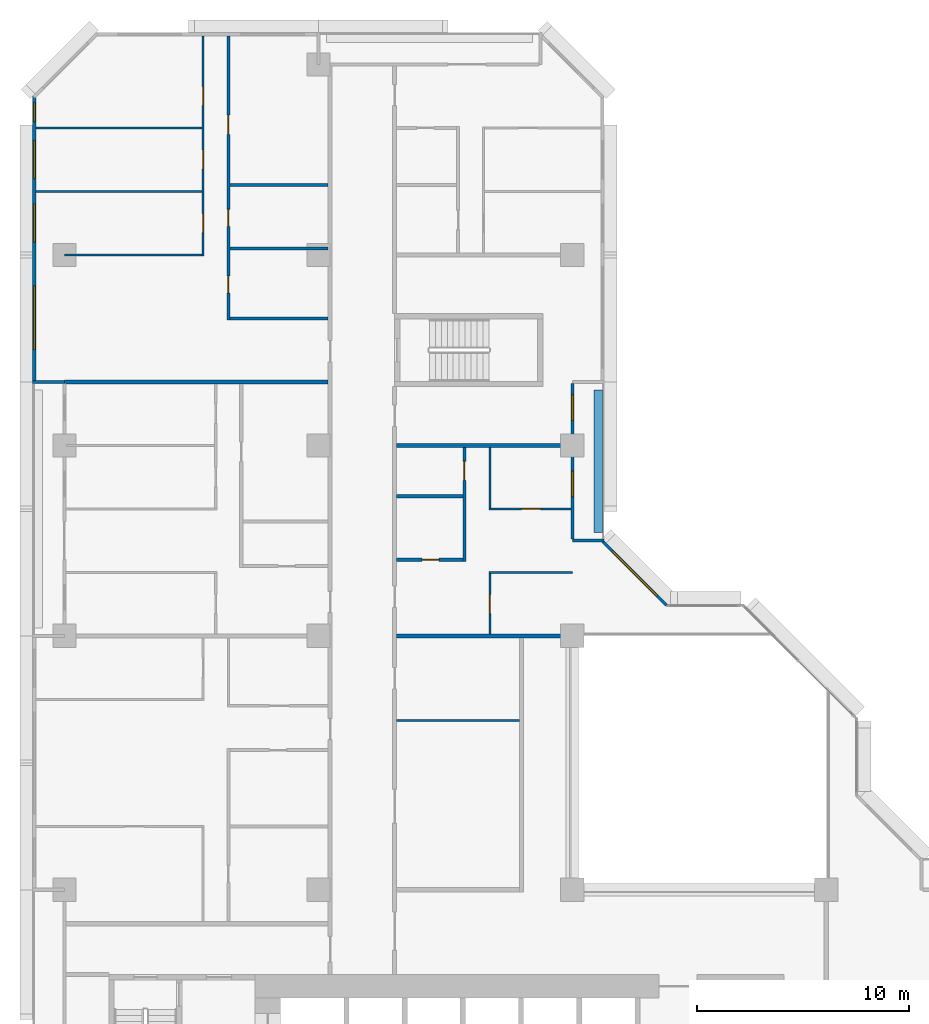
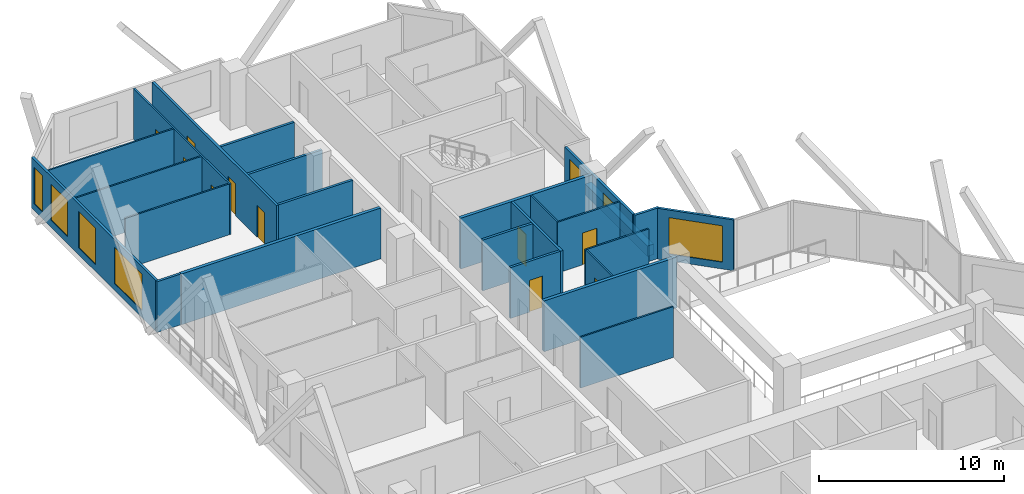
# One storey, part 10 of 16: 25 walls, 10 doors, 7 windows, 17 openings.
"""IFC4 building model written with IfcOpenShell, lengths in metres."""

from ifc_helpers import new_model, si_unit, direction, frame, frame_2d, origin, place, context, subcontext, project, spatial, rectangle, extrude, material, layer, layer_set, type_object, element, fill, save


model = new_model("IFC4")

# Units and contexts
model_context = context("Model", 3, precision=1e-05, world=origin(), true_north=direction((0.0, 1.0)))
body_context = subcontext(model_context, "Body", "Model", "MODEL_VIEW")
ifc_project = project(units=[si_unit("LENGTHUNIT", "METRE"), si_unit("AREAUNIT", "SQUARE_METRE"), si_unit("VOLUMEUNIT", "CUBIC_METRE"), si_unit("PLANEANGLEUNIT", "RADIAN"), si_unit("MASSUNIT", "GRAM", prefix="KILO")], contexts=[model_context])

# Site, building, storey
site_placement = place(None, origin())
site = spatial("IfcSite", under=ifc_project, at=site_placement, CompositionType="ELEMENT")
building_placement = place(site_placement, origin())
building = spatial("IfcBuilding", under=site, at=building_placement, Name="Chenar Terraces", CompositionType="ELEMENT")
storey_placement = place(building_placement, frame((0.0, 0.0, 71.39990234375)))
storey = spatial("IfcBuildingStorey", under=building, at=storey_placement, Name="L15", CompositionType="ELEMENT", Elevation=71.39990234375)

# Wall, openings, windows
ifc_material_1 = material(Name="Aluminium framed glazing", Category="aluminium")
ifc_layer_1 = layer(ifc_material_1, 0.14990234375)
ifc_layer_set_1 = layer_set([ifc_layer_1], Name="Aluminium framed glazing")
wall_type_1 = type_object("IfcWallType", Name="Glazed flush facade wall 150", PredefinedType="SOLIDWALL", material=ifc_layer_set_1)
wall_1_placement = place(storey_placement, frame((-1.425048828125, 61.5, 0.0), z_axis=(0.0, 0.0, 1.0), x_axis=(0.0, -1.0, 0.0)))
wall_1 = element("IfcWall", 1, at=wall_1_placement, inside=storey, type_object=wall_type_1, Name="Glazed flush facade wall", PredefinedType="SOLIDWALL", context=body_context, shape_type="SweptSolid", body=[
    extrude(rectangle(XDim=13.425048828125, YDim=0.14990234375, at=frame_2d((6.71240234375, 0.0))), origin(), (0.0, 0.0, 1.0), 3.35009765625),
])
opening_1_placement = place(wall_1_placement, frame((0.300048828125, 0.0, 0.449951171875)))
opening_1 = element("IfcOpeningElement", 2, at=opening_1_placement, cuts=wall_1, Name="Opening W90x240", PredefinedType="OPENING", context=body_context, shape_type="SweptSolid", body=[
    extrude(rectangle(XDim=0.89990234375, YDim=2.39990234375, at=frame_2d((0.449951171875, 1.199951171875))), frame((0.0, 0.0849609375, 0.0), z_axis=(0.0, -1.0, 0.0), x_axis=(1.0, 0.0, 0.0)), (0.0, 0.0, 1.0), 0.169921875),
])
opening_2_placement = place(wall_1_placement, frame((2.10009765625, 0.0, 0.449951171875)))
opening_2 = element("IfcOpeningElement", 3, at=opening_2_placement, cuts=wall_1, Name="Opening W180x240", PredefinedType="OPENING", context=body_context, shape_type="SweptSolid", body=[
    extrude(rectangle(XDim=1.800048828125, YDim=2.39990234375, at=frame_2d((0.89990234375, 1.199951171875))), frame((0.0, 0.0849609375, 0.0), z_axis=(0.0, -1.0, 0.0), x_axis=(1.0, 0.0, 0.0)), (0.0, 0.0, 1.0), 0.169921875),
])
opening_3_placement = place(wall_1_placement, frame((5.10009765625, 0.0, 0.449951171875)))
opening_3 = element("IfcOpeningElement", 4, at=opening_3_placement, cuts=wall_1, Name="Opening W180x240", PredefinedType="OPENING", context=body_context, shape_type="SweptSolid", body=[
    extrude(rectangle(XDim=1.800048828125, YDim=2.39990234375, at=frame_2d((0.89990234375, 1.199951171875))), frame((0.0, 0.0849609375, 0.0), z_axis=(0.0, -1.0, 0.0), x_axis=(1.0, 0.0, 0.0)), (0.0, 0.0, 1.0), 0.169921875),
])
opening_4_placement = place(wall_1_placement, frame((8.96240234375, 0.0, 0.449951171875)))
opening_4 = element("IfcOpeningElement", 5, at=opening_4_placement, cuts=wall_1, Name="Opening W300x240", PredefinedType="OPENING", context=body_context, shape_type="SweptSolid", body=[
    extrude(rectangle(XDim=3.0, YDim=2.39990234375, at=frame_2d((1.5, 1.199951171875))), frame((0.0, 0.0849609375, 0.0), z_axis=(0.0, -1.0, 0.0), x_axis=(1.0, 0.0, 0.0)), (0.0, 0.0, 1.0), 0.169921875),
])
ifc_material_2 = material(Name="Low emissivity double glazing, aluminium frame", Category="aluminium")
window_type_1 = type_object("IfcWindowType", Name="Fixed light 1800 x 2400", PartitioningType="SINGLE_PANEL", PredefinedType="WINDOW", material=ifc_material_2)
window_1_placement = place(opening_2_placement, origin())
window_1 = element("IfcWindow", 6, at=window_1_placement, inside=storey, type_object=window_type_1, Name="Window", OverallHeight=2.39990234375, OverallWidth=1.800048828125, PartitioningType="SINGLE_PANEL", PredefinedType="WINDOW", context=body_context, shape_type="SweptSolid", body=[
    extrude(rectangle(XDim=1.800048828125, YDim=2.39990234375, at=frame_2d((0.89990234375, 1.199951171875))), frame((0.0, 0.030029296875, 0.0), z_axis=(0.0, -1.0, 0.0), x_axis=(1.0, 0.0, 0.0)), (0.0, 0.0, 1.0), 0.06005859375),
])
fill(opening_2, window_1)
window_2_placement = place(opening_3_placement, origin())
window_2 = element("IfcWindow", 7, at=window_2_placement, inside=storey, type_object=window_type_1, Name="Window", OverallHeight=2.39990234375, OverallWidth=1.800048828125, PartitioningType="SINGLE_PANEL", PredefinedType="WINDOW", context=body_context, shape_type="SweptSolid", body=[
    extrude(rectangle(XDim=1.800048828125, YDim=2.39990234375, at=frame_2d((0.89990234375, 1.199951171875))), frame((0.0, 0.030029296875, 0.0), z_axis=(0.0, -1.0, 0.0), x_axis=(1.0, 0.0, 0.0)), (0.0, 0.0, 1.0), 0.06005859375),
])
fill(opening_3, window_2)
ifc_material_3 = material(Name="Low emissivity double glazing, aluminium frame", Category="aluminium")
window_type_2 = type_object("IfcWindowType", Name="Fixed light 3000 x 2400", PartitioningType="SINGLE_PANEL", PredefinedType="WINDOW", material=ifc_material_3)
window_3_placement = place(opening_4_placement, origin())
window_3 = element("IfcWindow", 8, at=window_3_placement, inside=storey, type_object=window_type_2, Name="Window", OverallHeight=2.39990234375, OverallWidth=3.0, PartitioningType="SINGLE_PANEL", PredefinedType="WINDOW", context=body_context, shape_type="SweptSolid", body=[
    extrude(rectangle(XDim=3.0, YDim=2.39990234375, at=frame_2d((1.5, 1.199951171875))), frame((0.0, 0.030029296875, 0.0), z_axis=(0.0, -1.0, 0.0), x_axis=(1.0, 0.0, 0.0)), (0.0, 0.0, 1.0), 0.06005859375),
])
fill(opening_4, window_3)
ifc_material_4 = material(Name="Low emissivity double glazing, aluminium frame", Category="aluminium")
window_type_3 = type_object("IfcWindowType", Name="Fixed light 900 x 2400", PartitioningType="SINGLE_PANEL", PredefinedType="WINDOW", material=ifc_material_4)
window_4_placement = place(opening_1_placement, origin())
window_4 = element("IfcWindow", 9, at=window_4_placement, inside=storey, type_object=window_type_3, Name="Window", OverallHeight=2.39990234375, OverallWidth=0.89990234375, PartitioningType="SINGLE_PANEL", PredefinedType="WINDOW", context=body_context, shape_type="SweptSolid", body=[
    extrude(rectangle(XDim=0.89990234375, YDim=2.39990234375, at=frame_2d((0.449951171875, 1.199951171875))), frame((0.0, 0.030029296875, 0.0), z_axis=(0.0, -1.0, 0.0), x_axis=(1.0, 0.0, 0.0)), (0.0, 0.0, 1.0), 0.06005859375),
])
fill(opening_1, window_4)

ifc_material_5 = material(Name="Aluminium framed glazing", Category="aluminium")
ifc_layer_2 = layer(ifc_material_5, 0.14990234375)
ifc_layer_set_2 = layer_set([ifc_layer_2], Name="Aluminium framed glazing")
wall_type_2 = type_object("IfcWallType", Name="Glazed loggia back wall 150", PredefinedType="SOLIDWALL", material=ifc_layer_set_2)
wall_2_placement = place(storey_placement, frame((24.0, 40.574951171875, 0.0), z_axis=(0.0, 0.0, 1.0), x_axis=(0.0, 1.0, 0.0)))
wall_2 = element("IfcWall", 10, at=wall_2_placement, inside=storey, type_object=wall_type_2, Name="Glazed loggia back wall", PredefinedType="SOLIDWALL", context=body_context, shape_type="SweptSolid", body=[
    extrude(rectangle(XDim=7.35009765625, YDim=0.14990234375, at=frame_2d((3.675048828125, 0.0))), origin(), (0.0, 0.0, 1.0), 3.35009765625),
])
opening_5_placement = place(wall_2_placement, frame((2.0, 0.0, 0.449951171875)))
opening_5 = element("IfcOpeningElement", 11, at=opening_5_placement, cuts=wall_2, Name="Opening W120x240", PredefinedType="OPENING", context=body_context, shape_type="SweptSolid", body=[
    extrude(rectangle(XDim=1.199951171875, YDim=2.39990234375, at=frame_2d((0.60009765625, 1.199951171875))), frame((0.0, 0.0849609375, 0.0), z_axis=(0.0, -1.0, 0.0), x_axis=(1.0, 0.0, 0.0)), (0.0, 0.0, 1.0), 0.169921875),
])
opening_6_placement = place(wall_2_placement, frame((5.612548828125, 0.0, 0.449951171875)))
opening_6 = element("IfcOpeningElement", 12, at=opening_6_placement, cuts=wall_2, Name="Opening W120x240", PredefinedType="OPENING", context=body_context, shape_type="SweptSolid", body=[
    extrude(rectangle(XDim=1.199951171875, YDim=2.39990234375, at=frame_2d((0.60009765625, 1.199951171875))), frame((0.0, 0.0849609375, 0.0), z_axis=(0.0, -1.0, 0.0), x_axis=(1.0, 0.0, 0.0)), (0.0, 0.0, 1.0), 0.169921875),
])
ifc_material_6 = material(Name="Low emissivity double glazing, aluminium frame", Category="aluminium")
window_type_4 = type_object("IfcWindowType", Name="Fixed light 1200 x 2400", PartitioningType="SINGLE_PANEL", PredefinedType="WINDOW", material=ifc_material_6)
window_5_placement = place(opening_5_placement, origin())
window_5 = element("IfcWindow", 13, at=window_5_placement, inside=storey, type_object=window_type_4, Name="Window", OverallHeight=2.39990234375, OverallWidth=1.199951171875, PartitioningType="SINGLE_PANEL", PredefinedType="WINDOW", context=body_context, shape_type="SweptSolid", body=[
    extrude(rectangle(XDim=1.199951171875, YDim=2.39990234375, at=frame_2d((0.60009765625, 1.199951171875))), frame((0.0, 0.030029296875, 0.0), z_axis=(0.0, -1.0, 0.0), x_axis=(1.0, 0.0, 0.0)), (0.0, 0.0, 1.0), 0.06005859375),
])
fill(opening_5, window_5)
window_6_placement = place(opening_6_placement, origin())
window_6 = element("IfcWindow", 14, at=window_6_placement, inside=storey, type_object=window_type_4, Name="Window", OverallHeight=2.39990234375, OverallWidth=1.199951171875, PartitioningType="SINGLE_PANEL", PredefinedType="WINDOW", context=body_context, shape_type="SweptSolid", body=[
    extrude(rectangle(XDim=1.199951171875, YDim=2.39990234375, at=frame_2d((0.60009765625, 1.199951171875))), frame((0.0, 0.030029296875, 0.0), z_axis=(0.0, -1.0, 0.0), x_axis=(1.0, 0.0, 0.0)), (0.0, 0.0, 1.0), 0.06005859375),
])
fill(opening_6, window_6)

# Walls
ifc_material_7 = material(Name="Gypsum board on steel studs", Category="steel")
ifc_layer_3 = layer(ifc_material_7, 0.10009765625)
ifc_layer_set_3 = layer_set([ifc_layer_3], Name="Gypsum board on steel studs")
wall_type_3 = type_object("IfcWallType", Name="Gypsum partition 100", PredefinedType="PARTITIONING", material=ifc_layer_set_3)
for number, where, z_axis, x_axis, name in (
    (15, (-1.35107421875, 57.0, 0.0), (0.0, 0.0, 1.0), (1.0, 0.0, 0.0), "Partition L15-001"),
    (16, (-1.35107421875, 60.0, 0.0), (0.0, 0.0, 1.0), (1.0, 0.0, 0.0), "Partition L15-002"),
):
    element("IfcWall", number, at=place(storey_placement, frame(where, z_axis=z_axis, x_axis=x_axis)), inside=storey, type_object=wall_type_3, Name=name, PredefinedType="PARTITIONING", context=body_context, shape_type="SweptSolid", body=[
        extrude(rectangle(XDim=7.85107421875, YDim=0.10009765625, at=frame_2d((3.925537109375, 0.0))), origin(), (0.0, 0.0, 1.0), 3.35009765625),
    ])
wall_3_placement = place(storey_placement, frame((0.0, 54.0, 0.0), z_axis=(0.0, 0.0, 1.0), x_axis=(1.0, 0.0, 0.0)))
element("IfcWall", 17, at=wall_3_placement, inside=storey, type_object=wall_type_3, Name="Partition L15-007", PredefinedType="PARTITIONING", context=body_context, shape_type="SweptSolid", body=[
    extrude(rectangle(XDim=6.5, YDim=0.10009765625, at=frame_2d((3.25, 0.0))), origin(), (0.0, 0.0, 1.0), 3.35009765625),
])

# Wall, openings, doors
wall_4_placement = place(storey_placement, frame((6.550048828125, 53.949951171875, 0.0), z_axis=(0.0, 0.0, 1.0), x_axis=(0.0, 1.0, 0.0)))
wall_4 = element("IfcWall", 18, at=wall_4_placement, inside=storey, type_object=wall_type_3, Name="Partition L15-016", PredefinedType="PARTITIONING", context=body_context, shape_type="SweptSolid", body=[
    extrude(rectangle(XDim=10.400146484375, YDim=0.10009765625, at=frame_2d((5.2001953125, 0.0))), origin(), (0.0, 0.0, 1.0), 3.35009765625),
])
opening_7_placement = place(wall_4_placement, frame((1.10009765625, 0.0, 0.0)))
opening_7 = element("IfcOpeningElement", 19, at=opening_7_placement, cuts=wall_4, Name="Opening DL15-46", PredefinedType="OPENING", context=body_context, shape_type="SweptSolid", body=[
    extrude(rectangle(XDim=0.89990234375, YDim=2.10009765625, at=frame_2d((0.449951171875, 1.050048828125))), frame((0.0, 0.06005859375, 0.0), z_axis=(0.0, -1.0, 0.0), x_axis=(1.0, 0.0, 0.0)), (0.0, 0.0, 1.0), 0.1201171875),
])
opening_8_placement = place(wall_4_placement, frame((4.10009765625, 0.0, 0.0)))
opening_8 = element("IfcOpeningElement", 20, at=opening_8_placement, cuts=wall_4, Name="Opening DL15-47", PredefinedType="OPENING", context=body_context, shape_type="SweptSolid", body=[
    extrude(rectangle(XDim=0.89990234375, YDim=2.10009765625, at=frame_2d((0.449951171875, 1.050048828125))), frame((0.0, 0.06005859375, 0.0), z_axis=(0.0, -1.0, 0.0), x_axis=(1.0, 0.0, 0.0)), (0.0, 0.0, 1.0), 0.1201171875),
])
opening_9_placement = place(wall_4_placement, frame((7.10009765625, 0.0, 0.0)))
opening_9 = element("IfcOpeningElement", 21, at=opening_9_placement, cuts=wall_4, Name="Opening DL15-48", PredefinedType="OPENING", context=body_context, shape_type="SweptSolid", body=[
    extrude(rectangle(XDim=0.89990234375, YDim=2.10009765625, at=frame_2d((0.449951171875, 1.050048828125))), frame((0.0, 0.06005859375, 0.0), z_axis=(0.0, -1.0, 0.0), x_axis=(1.0, 0.0, 0.0)), (0.0, 0.0, 1.0), 0.1201171875),
])
ifc_material_8 = material(Name="Veneered timber door leaf", Category="wood")
door_type_1 = type_object("IfcDoorType", Name="Door 900 x 2100", OperationType="SINGLE_SWING_LEFT", PredefinedType="DOOR", material=ifc_material_8)
door_1_placement = place(opening_7_placement, origin())
door_1 = element("IfcDoor", 22, at=door_1_placement, inside=storey, type_object=door_type_1, Name="Door DL15-46", OperationType="SINGLE_SWING_LEFT", OverallHeight=2.10009765625, OverallWidth=0.89990234375, PredefinedType="DOOR", context=body_context, shape_type="SweptSolid", body=[
    extrude(rectangle(XDim=0.89990234375, YDim=2.10009765625, at=frame_2d((0.449951171875, 1.050048828125))), frame((0.0, 0.02490234375, 0.0), z_axis=(0.0, -1.0, 0.0), x_axis=(1.0, 0.0, 0.0)), (0.0, 0.0, 1.0), 0.050048828125),
])
fill(opening_7, door_1)
door_2_placement = place(opening_8_placement, origin())
door_2 = element("IfcDoor", 23, at=door_2_placement, inside=storey, type_object=door_type_1, Name="Door DL15-47", OperationType="SINGLE_SWING_LEFT", OverallHeight=2.10009765625, OverallWidth=0.89990234375, PredefinedType="DOOR", context=body_context, shape_type="SweptSolid", body=[
    extrude(rectangle(XDim=0.89990234375, YDim=2.10009765625, at=frame_2d((0.449951171875, 1.050048828125))), frame((0.0, 0.02490234375, 0.0), z_axis=(0.0, -1.0, 0.0), x_axis=(1.0, 0.0, 0.0)), (0.0, 0.0, 1.0), 0.050048828125),
])
fill(opening_8, door_2)
door_3_placement = place(opening_9_placement, origin())
door_3 = element("IfcDoor", 24, at=door_3_placement, inside=storey, type_object=door_type_1, Name="Door DL15-48", OperationType="SINGLE_SWING_LEFT", OverallHeight=2.10009765625, OverallWidth=0.89990234375, PredefinedType="DOOR", context=body_context, shape_type="SweptSolid", body=[
    extrude(rectangle(XDim=0.89990234375, YDim=2.10009765625, at=frame_2d((0.449951171875, 1.050048828125))), frame((0.0, 0.02490234375, 0.0), z_axis=(0.0, -1.0, 0.0), x_axis=(1.0, 0.0, 0.0)), (0.0, 0.0, 1.0), 0.050048828125),
])
fill(opening_9, door_3)

# Walls
wall_5_placement = place(storey_placement, frame((15.699951171875, 32.0, 0.0), z_axis=(0.0, 0.0, 1.0), x_axis=(1.0, 0.0, 0.0)))
element("IfcWall", 25, at=wall_5_placement, inside=storey, type_object=wall_type_3, Name="Partition L15-039", PredefinedType="PARTITIONING", context=body_context, shape_type="SweptSolid", body=[
    extrude(rectangle(XDim=5.800048828125, YDim=0.10009765625, at=frame_2d((2.89990234375, 0.0))), origin(), (0.0, 0.0, 1.0), 3.35009765625),
])
wall_6_placement = place(storey_placement, frame((20.050048828125, 39.0, 0.0), z_axis=(0.0, 0.0, 1.0), x_axis=(1.0, 0.0, 0.0)))
element("IfcWall", 26, at=wall_6_placement, inside=storey, type_object=wall_type_3, Name="Partition L15-052", PredefinedType="PARTITIONING", context=body_context, shape_type="SweptSolid", body=[
    extrude(rectangle(XDim=3.949951171875, YDim=0.10009765625, at=frame_2d((1.97509765625, 0.0))), origin(), (0.0, 0.0, 1.0), 3.35009765625),
])

# Wall, opening, door
wall_7_placement = place(storey_placement, frame((20.050048828125, 42.0, 0.0), z_axis=(0.0, 0.0, 1.0), x_axis=(1.0, 0.0, 0.0)))
wall_7 = element("IfcWall", 27, at=wall_7_placement, inside=storey, type_object=wall_type_3, Name="Partition L15-053", PredefinedType="PARTITIONING", context=body_context, shape_type="SweptSolid", body=[
    extrude(rectangle(XDim=3.8759765625, YDim=0.10009765625, at=frame_2d((1.93798828125, 0.0))), origin(), (0.0, 0.0, 1.0), 3.35009765625),
])
opening_10_placement = place(wall_7_placement, frame((1.550048828125, 0.0, 0.0)))
opening_10 = element("IfcOpeningElement", 28, at=opening_10_placement, cuts=wall_7, Name="Opening DL15-31", PredefinedType="OPENING", context=body_context, shape_type="SweptSolid", body=[
    extrude(rectangle(XDim=0.89990234375, YDim=2.10009765625, at=frame_2d((0.449951171875, 1.050048828125))), frame((0.0, 0.06005859375, 0.0), z_axis=(0.0, -1.0, 0.0), x_axis=(1.0, 0.0, 0.0)), (0.0, 0.0, 1.0), 0.1201171875),
])
door_4_placement = place(opening_10_placement, origin())
door_4 = element("IfcDoor", 29, at=door_4_placement, inside=storey, type_object=door_type_1, Name="Door DL15-31", OperationType="SINGLE_SWING_RIGHT", OverallHeight=2.10009765625, OverallWidth=0.89990234375, PredefinedType="DOOR", context=body_context, shape_type="SweptSolid", body=[
    extrude(rectangle(XDim=0.89990234375, YDim=2.10009765625, at=frame_2d((0.449951171875, 1.050048828125))), frame((0.0, 0.02490234375, 0.0), z_axis=(0.0, -1.0, 0.0), x_axis=(1.0, 0.0, 0.0)), (0.0, 0.0, 1.0), 0.050048828125),
])
fill(opening_10, door_4)

wall_8_placement = place(storey_placement, frame((20.10009765625, 36.10009765625, 0.0), z_axis=(0.0, 0.0, 1.0), x_axis=(0.0, 1.0, 0.0)))
wall_8 = element("IfcWall", 30, at=wall_8_placement, inside=storey, type_object=wall_type_3, Name="Partition L15-054", PredefinedType="PARTITIONING", context=body_context, shape_type="SweptSolid", body=[
    extrude(rectangle(XDim=2.849853515625, YDim=0.10009765625, at=frame_2d((1.4248046875, 0.0))), origin(), (0.0, 0.0, 1.0), 3.35009765625),
])
opening_11_placement = place(wall_8_placement, frame((0.949951171875, 0.0, 0.0)))
opening_11 = element("IfcOpeningElement", 31, at=opening_11_placement, cuts=wall_8, Name="Opening DL15-30", PredefinedType="OPENING", context=body_context, shape_type="SweptSolid", body=[
    extrude(rectangle(XDim=0.89990234375, YDim=2.10009765625, at=frame_2d((0.449951171875, 1.050048828125))), frame((0.0, 0.06005859375, 0.0), z_axis=(0.0, -1.0, 0.0), x_axis=(1.0, 0.0, 0.0)), (0.0, 0.0, 1.0), 0.1201171875),
])
door_5_placement = place(opening_11_placement, frame((0.89990234375, 0.0, 0.0), z_axis=(0.0, 0.0, 1.0), x_axis=(-1.0, 0.0, 0.0)))
door_5 = element("IfcDoor", 32, at=door_5_placement, inside=storey, type_object=door_type_1, Name="Door DL15-30", OperationType="SINGLE_SWING_LEFT", OverallHeight=2.10009765625, OverallWidth=0.89990234375, PredefinedType="DOOR", context=body_context, shape_type="SweptSolid", body=[
    extrude(rectangle(XDim=0.89990234375, YDim=2.10009765625, at=frame_2d((0.449951171875, 1.050048828125))), frame((0.0, 0.02490234375, 0.0), z_axis=(0.0, -1.0, 0.0), x_axis=(1.0, 0.0, 0.0)), (0.0, 0.0, 1.0), 0.050048828125),
])
fill(opening_11, door_5)

# Walls
wall_9_placement = place(storey_placement, frame((20.10009765625, 42.050048828125, 0.0), z_axis=(0.0, 0.0, 1.0), x_axis=(0.0, 1.0, 0.0)))
element("IfcWall", 33, at=wall_9_placement, inside=storey, type_object=wall_type_3, Name="Partition L15-055", PredefinedType="PARTITIONING", context=body_context, shape_type="SweptSolid", body=[
    extrude(rectangle(XDim=2.849853515625, YDim=0.10009765625, at=frame_2d((1.4248046875, 0.0))), origin(), (0.0, 0.0, 1.0), 3.35009765625),
])
ifc_material_9 = material(Name="Terracotta cladding on insulated backing", Category="masonry")
ifc_layer_4 = layer(ifc_material_9, 0.14990234375)
ifc_layer_set_4 = layer_set([ifc_layer_4], Name="Terracotta cladding on insulated backing")
wall_type_4 = type_object("IfcWallType", Name="Loggia return wall 150", PredefinedType="SOLIDWALL", material=ifc_layer_set_4)
for number, where, z_axis, x_axis, name in (
    (34, (25.5, 40.5, 0.0), (0.0, 0.0, 1.0), (-1.0, 0.0, 0.0), "Loggia return wall"),
    (35, (-1.5, 48.0, 0.0), (0.0, 0.0, 1.0), (1.0, 0.0, 0.0), "Loggia return wall"),
):
    element("IfcWall", number, at=place(storey_placement, frame(where, z_axis=z_axis, x_axis=x_axis)), inside=storey, type_object=wall_type_4, Name=name, PredefinedType="SOLIDWALL", context=body_context, shape_type="SweptSolid", body=[
        extrude(rectangle(XDim=1.5, YDim=0.14990234375, at=frame_2d((0.75, 0.0))), origin(), (0.0, 0.0, 1.0), 3.35009765625),
    ])

# Wall, opening, window
ifc_material_10 = material(Name="Terracotta cladding on insulated backing", Category="masonry")
ifc_layer_5 = layer(ifc_material_10, 0.14990234375)
ifc_layer_set_5 = layer_set([ifc_layer_5], Name="Terracotta cladding on insulated backing")
wall_type_5 = type_object("IfcWallType", Name="Terracotta rainscreen wall 150", PredefinedType="SOLIDWALL", material=ifc_layer_set_5)
wall_10_placement = place(storey_placement, frame((28.447021484375, 37.447021484375, 0.0), z_axis=(0.0, 0.0, 1.0), x_axis=(-0.707106781187, 0.707106781187, 0.0)))
wall_10 = element("IfcWall", 36, at=wall_10_placement, inside=storey, type_object=wall_type_5, Name="Terracotta rainscreen wall", PredefinedType="SOLIDWALL", context=body_context, shape_type="SweptSolid", body=[
    extrude(rectangle(XDim=4.24267578125, YDim=0.14990234375, at=frame_2d((2.121337890625, 0.0))), origin(), (0.0, 0.0, 1.0), 3.35009765625),
])
opening_12_placement = place(wall_10_placement, frame((0.621337890625, 0.0, 0.449951171875)))
opening_12 = element("IfcOpeningElement", 37, at=opening_12_placement, cuts=wall_10, Name="Opening W300x240", PredefinedType="OPENING", context=body_context, shape_type="SweptSolid", body=[
    extrude(rectangle(XDim=3.0, YDim=2.39990234375, at=frame_2d((1.5, 1.199951171875))), frame((0.0, 0.0849609375, 0.0), z_axis=(0.0, -1.0, 0.0), x_axis=(1.0, 0.0, 0.0)), (0.0, 0.0, 1.0), 0.169921875),
])
window_7_placement = place(opening_12_placement, origin())
window_7 = element("IfcWindow", 38, at=window_7_placement, inside=storey, type_object=window_type_2, Name="Window", OverallHeight=2.39990234375, OverallWidth=3.0, PartitioningType="SINGLE_PANEL", PredefinedType="WINDOW", context=body_context, shape_type="SweptSolid", body=[
    extrude(rectangle(XDim=3.0, YDim=2.39990234375, at=frame_2d((1.5, 1.199951171875))), frame((0.0, 0.030029296875, 0.0), z_axis=(0.0, -1.0, 0.0), x_axis=(1.0, 0.0, 0.0)), (0.0, 0.0, 1.0), 0.06005859375),
])
fill(opening_12, window_7)

# Walls
ifc_material_11 = material(Name="Twin gypsum board on steel studs with mineral wool", Category="steel")
ifc_layer_6 = layer(ifc_material_11, 0.199951171875)
ifc_layer_set_6 = layer_set([ifc_layer_6], Name="Twin gypsum board on steel studs with mineral wool")
wall_type_6 = type_object("IfcWallType", Name="Unit demising wall 200", PredefinedType="PARTITIONING", material=ifc_layer_set_6)
wall_11_placement = place(storey_placement, frame((0.0, 48.0, 0.0), z_axis=(0.0, 0.0, 1.0), x_axis=(1.0, 0.0, 0.0)))
element("IfcWall", 39, at=wall_11_placement, inside=storey, type_object=wall_type_6, Name="Partition L15-006", PredefinedType="PARTITIONING", context=body_context, shape_type="SweptSolid", body=[
    extrude(rectangle(XDim=12.449951171875, YDim=0.199951171875, at=frame_2d((6.22509765625, 0.0))), origin(), (0.0, 0.0, 1.0), 3.35009765625),
])
wall_12_placement = place(storey_placement, frame((15.699951171875, 36.0, 0.0), z_axis=(0.0, 0.0, 1.0), x_axis=(1.0, 0.0, 0.0)))
element("IfcWall", 40, at=wall_12_placement, inside=storey, type_object=wall_type_6, Name="Partition L15-040", PredefinedType="PARTITIONING", context=body_context, shape_type="SweptSolid", body=[
    extrude(rectangle(XDim=8.300048828125, YDim=0.199951171875, at=frame_2d((4.14990234375, 0.0))), origin(), (0.0, 0.0, 1.0), 3.35009765625),
])
wall_13_placement = place(storey_placement, frame((15.699951171875, 45.0, 0.0), z_axis=(0.0, 0.0, 1.0), x_axis=(1.0, 0.0, 0.0)))
element("IfcWall", 41, at=wall_13_placement, inside=storey, type_object=wall_type_6, Name="Partition L15-043", PredefinedType="PARTITIONING", context=body_context, shape_type="SweptSolid", body=[
    extrude(rectangle(XDim=8.22607421875, YDim=0.199951171875, at=frame_2d((4.113037109375, 0.0))), origin(), (0.0, 0.0, 1.0), 3.35009765625),
])
ifc_material_12 = material(Name="GRP planter trough")
ifc_layer_7 = layer(ifc_material_12, 0.39990234375)
ifc_layer_set_7 = layer_set([ifc_layer_7], Name="GRP planter trough")
wall_type_7 = type_object("IfcWallType", Name="Vertical greenery planter 400", PredefinedType="SOLIDWALL", material=ifc_layer_set_7)
wall_14_placement = place(storey_placement, frame((25.22900390625, 40.875, 0.0), z_axis=(0.0, 0.0, 1.0), x_axis=(0.0, 1.0, 0.0)))
element("IfcWall", 42, at=wall_14_placement, inside=storey, type_object=wall_type_7, Name="Vertical greenery planter", PredefinedType="SOLIDWALL", context=body_context, shape_type="SweptSolid", body=[
    extrude(rectangle(XDim=6.75, YDim=0.39990234375, at=frame_2d((3.375, 0.0))), origin(), (0.0, 0.0, 1.0), 0.7001953125),
])

# Wall, openings, doors
ifc_material_13 = material(Name="Moisture-resistant gypsum board on steel studs", Category="steel")
ifc_layer_8 = layer(ifc_material_13, 0.14990234375)
ifc_layer_set_8 = layer_set([ifc_layer_8], Name="Moisture-resistant gypsum board on steel studs")
wall_type_8 = type_object("IfcWallType", Name="Wet-room partition 150", PredefinedType="PARTITIONING", material=ifc_layer_set_8)
wall_15_placement = place(storey_placement, frame((7.75, 50.925048828125, 0.0), z_axis=(0.0, 0.0, 1.0), x_axis=(0.0, 1.0, 0.0)))
wall_15 = element("IfcWall", 43, at=wall_15_placement, inside=storey, type_object=wall_type_8, Name="Partition L15-022", PredefinedType="PARTITIONING", context=body_context, shape_type="SweptSolid", body=[
    extrude(rectangle(XDim=13.425048828125, YDim=0.14990234375, at=frame_2d((6.71240234375, 0.0))), origin(), (0.0, 0.0, 1.0), 3.35009765625),
])
opening_13_placement = place(wall_15_placement, frame((1.27490234375, 0.0, 0.0)))
opening_13 = element("IfcOpeningElement", 44, at=opening_13_placement, cuts=wall_15, Name="Opening DL15-45", PredefinedType="OPENING", context=body_context, shape_type="SweptSolid", body=[
    extrude(rectangle(XDim=0.800048828125, YDim=2.10009765625, at=frame_2d((0.39990234375, 1.050048828125))), frame((0.0, 0.0849609375, 0.0), z_axis=(0.0, -1.0, 0.0), x_axis=(1.0, 0.0, 0.0)), (0.0, 0.0, 1.0), 0.169921875),
])
opening_14_placement = place(wall_15_placement, frame((8.77490234375, 0.0, 0.0)))
opening_14 = element("IfcOpeningElement", 45, at=opening_14_placement, cuts=wall_15, Name="Opening DL15-49", PredefinedType="OPENING", context=body_context, shape_type="SweptSolid", body=[
    extrude(rectangle(XDim=0.89990234375, YDim=2.10009765625, at=frame_2d((0.449951171875, 1.050048828125))), frame((0.0, 0.0849609375, 0.0), z_axis=(0.0, -1.0, 0.0), x_axis=(1.0, 0.0, 0.0)), (0.0, 0.0, 1.0), 0.169921875),
])
opening_15_placement = place(wall_15_placement, frame((4.425048828125, 0.0, 0.0)))
opening_15 = element("IfcOpeningElement", 46, at=opening_15_placement, cuts=wall_15, Name="Opening DL15-51", PredefinedType="OPENING", context=body_context, shape_type="SweptSolid", body=[
    extrude(rectangle(XDim=0.800048828125, YDim=2.10009765625, at=frame_2d((0.39990234375, 1.050048828125))), frame((0.0, 0.0849609375, 0.0), z_axis=(0.0, -1.0, 0.0), x_axis=(1.0, 0.0, 0.0)), (0.0, 0.0, 1.0), 0.169921875),
])
ifc_material_14 = material(Name="Veneered timber door leaf", Category="wood")
door_type_2 = type_object("IfcDoorType", Name="Door 800 x 2100", OperationType="SINGLE_SWING_LEFT", PredefinedType="DOOR", material=ifc_material_14)
door_6_placement = place(opening_13_placement, frame((0.800048828125, 0.0, 0.0), z_axis=(0.0, 0.0, 1.0), x_axis=(-1.0, 0.0, 0.0)))
door_6 = element("IfcDoor", 47, at=door_6_placement, inside=storey, type_object=door_type_2, Name="Door DL15-45", OperationType="SINGLE_SWING_RIGHT", OverallHeight=2.10009765625, OverallWidth=0.800048828125, PredefinedType="DOOR", context=body_context, shape_type="SweptSolid", body=[
    extrude(rectangle(XDim=0.800048828125, YDim=2.10009765625, at=frame_2d((0.39990234375, 1.050048828125))), frame((0.0, 0.02490234375, 0.0), z_axis=(0.0, -1.0, 0.0), x_axis=(1.0, 0.0, 0.0)), (0.0, 0.0, 1.0), 0.050048828125),
])
fill(opening_13, door_6)
door_7_placement = place(opening_15_placement, frame((0.800048828125, 0.0, 0.0), z_axis=(0.0, 0.0, 1.0), x_axis=(-1.0, 0.0, 0.0)))
door_7 = element("IfcDoor", 48, at=door_7_placement, inside=storey, type_object=door_type_2, Name="Door DL15-51", OperationType="SINGLE_SWING_RIGHT", OverallHeight=2.10009765625, OverallWidth=0.800048828125, PredefinedType="DOOR", context=body_context, shape_type="SweptSolid", body=[
    extrude(rectangle(XDim=0.800048828125, YDim=2.10009765625, at=frame_2d((0.39990234375, 1.050048828125))), frame((0.0, 0.02490234375, 0.0), z_axis=(0.0, -1.0, 0.0), x_axis=(1.0, 0.0, 0.0)), (0.0, 0.0, 1.0), 0.050048828125),
])
fill(opening_15, door_7)
door_8_placement = place(opening_14_placement, frame((0.89990234375, 0.0, 0.0), z_axis=(0.0, 0.0, 1.0), x_axis=(-1.0, 0.0, 0.0)))
door_8 = element("IfcDoor", 49, at=door_8_placement, inside=storey, type_object=door_type_1, Name="Door DL15-49", OperationType="SINGLE_SWING_LEFT", OverallHeight=2.10009765625, OverallWidth=0.89990234375, PredefinedType="DOOR", context=body_context, shape_type="SweptSolid", body=[
    extrude(rectangle(XDim=0.89990234375, YDim=2.10009765625, at=frame_2d((0.449951171875, 1.050048828125))), frame((0.0, 0.02490234375, 0.0), z_axis=(0.0, -1.0, 0.0), x_axis=(1.0, 0.0, 0.0)), (0.0, 0.0, 1.0), 0.050048828125),
])
fill(opening_14, door_8)

# Walls
for number, where, z_axis, x_axis, name in (
    (50, (7.824951171875, 51.0, 0.0), (0.0, 0.0, 1.0), (1.0, 0.0, 0.0), "Partition L15-025"),
    (51, (7.824951171875, 54.300048828125, 0.0), (0.0, 0.0, 1.0), (1.0, 0.0, 0.0), "Partition L15-026"),
    (52, (7.824951171875, 57.300048828125, 0.0), (0.0, 0.0, 1.0), (1.0, 0.0, 0.0), "Partition L15-027"),
):
    element("IfcWall", number, at=place(storey_placement, frame(where, z_axis=z_axis, x_axis=x_axis)), inside=storey, type_object=wall_type_8, Name=name, PredefinedType="PARTITIONING", context=body_context, shape_type="SweptSolid", body=[
        extrude(rectangle(XDim=4.625, YDim=0.14990234375, at=frame_2d((2.3125, 0.0))), origin(), (0.0, 0.0, 1.0), 3.35009765625),
    ])

# Wall, opening, door
wall_16_placement = place(storey_placement, frame((15.699951171875, 39.60009765625, 0.0), z_axis=(0.0, 0.0, 1.0), x_axis=(1.0, 0.0, 0.0)))
wall_16 = element("IfcWall", 53, at=wall_16_placement, inside=storey, type_object=wall_type_8, Name="Partition L15-041", PredefinedType="PARTITIONING", context=body_context, shape_type="SweptSolid", body=[
    extrude(rectangle(XDim=3.125, YDim=0.14990234375, at=frame_2d((1.5625, 0.0))), origin(), (0.0, 0.0, 1.0), 3.35009765625),
])
opening_16_placement = place(wall_16_placement, frame((1.199951171875, 0.0, 0.0)))
opening_16 = element("IfcOpeningElement", 54, at=opening_16_placement, cuts=wall_16, Name="Opening DL15-29", PredefinedType="OPENING", context=body_context, shape_type="SweptSolid", body=[
    extrude(rectangle(XDim=0.800048828125, YDim=2.10009765625, at=frame_2d((0.39990234375, 1.050048828125))), frame((0.0, 0.0849609375, 0.0), z_axis=(0.0, -1.0, 0.0), x_axis=(1.0, 0.0, 0.0)), (0.0, 0.0, 1.0), 0.169921875),
])
door_9_placement = place(opening_16_placement, origin())
door_9 = element("IfcDoor", 55, at=door_9_placement, inside=storey, type_object=door_type_2, Name="Door DL15-29", OperationType="SINGLE_SWING_RIGHT", OverallHeight=2.10009765625, OverallWidth=0.800048828125, PredefinedType="DOOR", context=body_context, shape_type="SweptSolid", body=[
    extrude(rectangle(XDim=0.800048828125, YDim=2.10009765625, at=frame_2d((0.39990234375, 1.050048828125))), frame((0.0, 0.02490234375, 0.0), z_axis=(0.0, -1.0, 0.0), x_axis=(1.0, 0.0, 0.0)), (0.0, 0.0, 1.0), 0.050048828125),
])
fill(opening_16, door_9)

# Wall
wall_17_placement = place(storey_placement, frame((15.699951171875, 42.60009765625, 0.0), z_axis=(0.0, 0.0, 1.0), x_axis=(1.0, 0.0, 0.0)))
element("IfcWall", 56, at=wall_17_placement, inside=storey, type_object=wall_type_8, Name="Partition L15-042", PredefinedType="PARTITIONING", context=body_context, shape_type="SweptSolid", body=[
    extrude(rectangle(XDim=3.125, YDim=0.14990234375, at=frame_2d((1.5625, 0.0))), origin(), (0.0, 0.0, 1.0), 3.35009765625),
])

# Wall, opening, door
wall_18_placement = place(storey_placement, frame((18.89990234375, 39.52490234375, 0.0), z_axis=(0.0, 0.0, 1.0), x_axis=(0.0, 1.0, 0.0)))
wall_18 = element("IfcWall", 57, at=wall_18_placement, inside=storey, type_object=wall_type_8, Name="Partition L15-048", PredefinedType="PARTITIONING", context=body_context, shape_type="SweptSolid", body=[
    extrude(rectangle(XDim=5.375, YDim=0.14990234375, at=frame_2d((2.6875, 0.0))), origin(), (0.0, 0.0, 1.0), 3.35009765625),
])
opening_17_placement = place(wall_18_placement, frame((3.824951171875, 0.0, 0.0)))
opening_17 = element("IfcOpeningElement", 58, at=opening_17_placement, cuts=wall_18, Name="Opening DL15-32", PredefinedType="OPENING", context=body_context, shape_type="SweptSolid", body=[
    extrude(rectangle(XDim=0.89990234375, YDim=2.10009765625, at=frame_2d((0.449951171875, 1.050048828125))), frame((0.0, 0.0849609375, 0.0), z_axis=(0.0, -1.0, 0.0), x_axis=(1.0, 0.0, 0.0)), (0.0, 0.0, 1.0), 0.169921875),
])
door_10_placement = place(opening_17_placement, origin())
door_10 = element("IfcDoor", 59, at=door_10_placement, inside=storey, type_object=door_type_1, Name="Door DL15-32", OperationType="SINGLE_SWING_RIGHT", OverallHeight=2.10009765625, OverallWidth=0.89990234375, PredefinedType="DOOR", context=body_context, shape_type="SweptSolid", body=[
    extrude(rectangle(XDim=0.89990234375, YDim=2.10009765625, at=frame_2d((0.449951171875, 1.050048828125))), frame((0.0, 0.02490234375, 0.0), z_axis=(0.0, -1.0, 0.0), x_axis=(1.0, 0.0, 0.0)), (0.0, 0.0, 1.0), 0.050048828125),
])
fill(opening_17, door_10)

save(model, "model.ifc")
